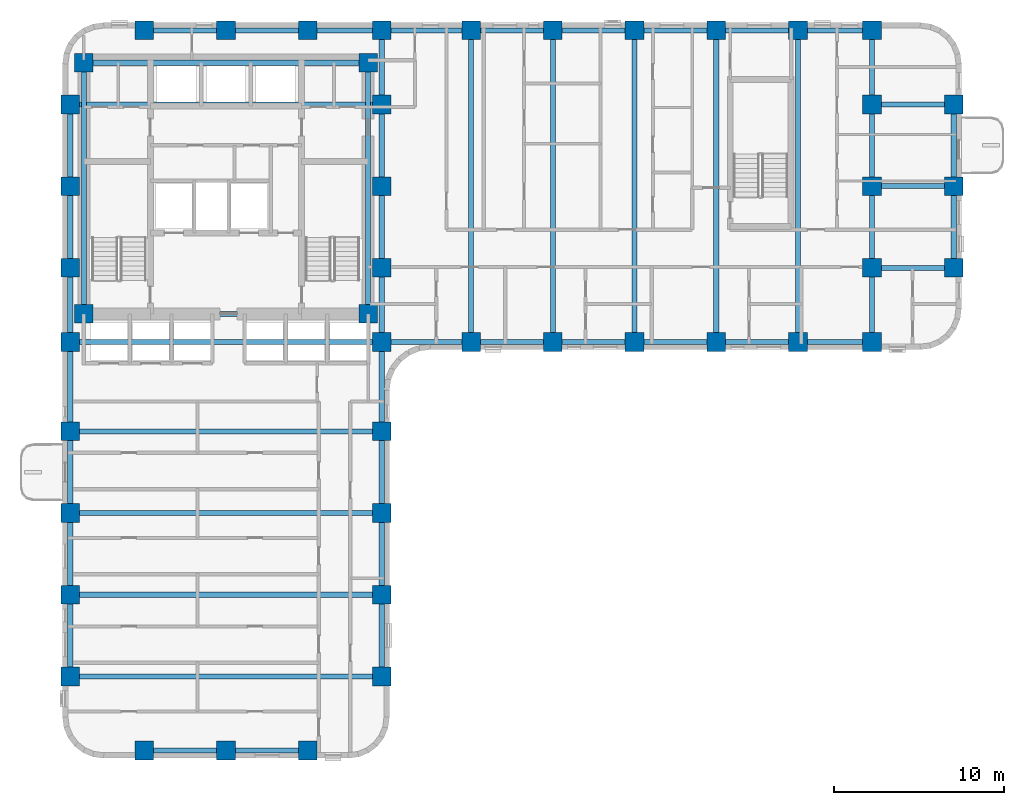
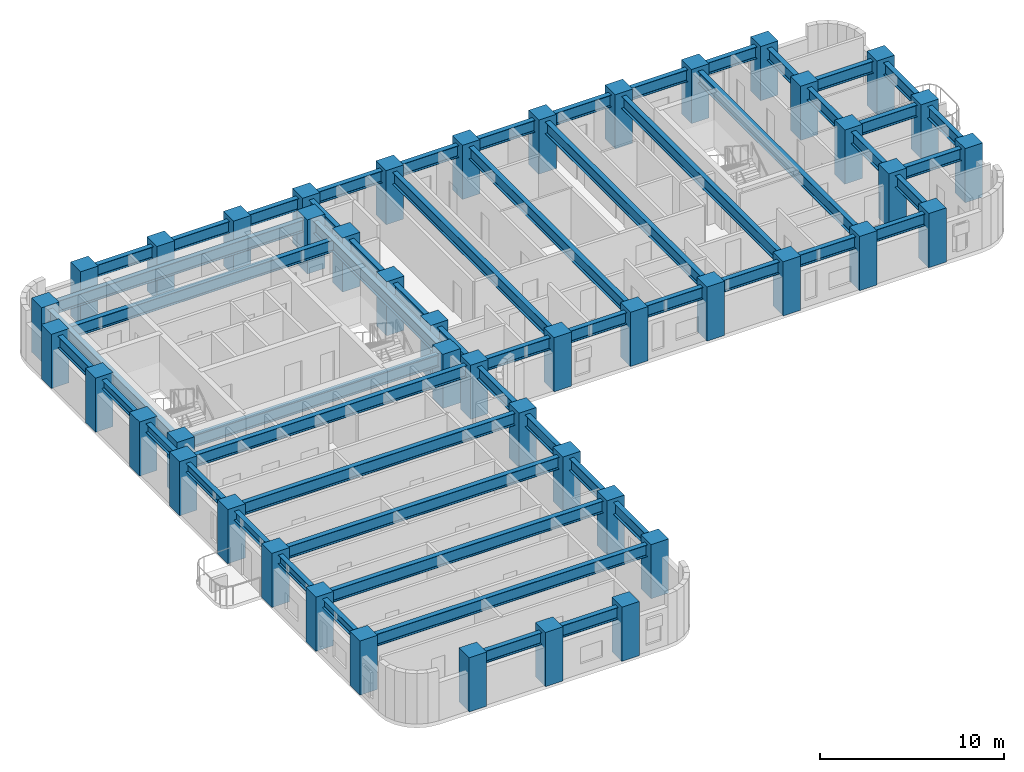
# One storey, part 1 of 11: 56 beams, 45 columns.
"""IFC4 building model written with IfcOpenShell, lengths in metres."""

from ifc_helpers import new_model, si_unit, direction, frame, origin, origin_2d, place, context, subcontext, project, spatial, rectangle, i_section, extrude, material, material_profile, profile_set, type_object, element, save


model = new_model("IFC4")

# Units and contexts
model_context = context("Model", 3, precision=1e-05, world=origin(), true_north=direction((0.0, 1.0)))
body_context = subcontext(model_context, "Body", "Model", "MODEL_VIEW")
ifc_project = project(units=[si_unit("LENGTHUNIT", "METRE"), si_unit("AREAUNIT", "SQUARE_METRE"), si_unit("VOLUMEUNIT", "CUBIC_METRE"), si_unit("PLANEANGLEUNIT", "RADIAN"), si_unit("MASSUNIT", "GRAM", prefix="KILO")], contexts=[model_context])

# Site, building, storey
site_placement = place(None, origin())
site = spatial("IfcSite", under=ifc_project, at=site_placement, CompositionType="ELEMENT")
building_placement = place(site_placement, origin())
building = spatial("IfcBuilding", under=site, at=building_placement, Name="Orvandelia Arch Residences", CompositionType="ELEMENT")
storey_placement = place(building_placement, frame((0.0, 0.0, 86.199951171875)))
storey = spatial("IfcBuildingStorey", under=building, at=storey_placement, Name="L22", CompositionType="ELEMENT", Elevation=86.199951171875)

# Columns
ifc_material_1 = material(Name="Concrete C80/95", Category="concrete")
ifc_material_profile_1 = material_profile(ifc_material_1, rectangle(XDim=1.10009765625, YDim=1.10009765625, at=origin_2d()), Name="Concrete C80/95", Category="concrete")
ifc_profile_set_1 = profile_set([ifc_material_profile_1], Name="Concrete C80/95")
column_type = type_object("IfcColumnType", Name="COL-TWR-1100", PredefinedType="COLUMN", material=ifc_profile_set_1)
for number, where, z_axis, x_axis, name in (
    (1, (5.25, 9.60009765625, 0.0), (0.0, 0.0, 1.0), (1.0, 0.0, 0.0), "Structural Column L22-W-W-96"),
    (2, (5.25, 14.39990234375, 0.0), (0.0, 0.0, 1.0), (1.0, 0.0, 0.0), "Structural Column L22-W-W-144"),
    (3, (5.25, 19.199951171875, 0.0), (0.0, 0.0, 1.0), (1.0, 0.0, 0.0), "Structural Column L22-W-W-192"),
    (4, (5.25, 24.0, 0.0), (0.0, 0.0, 1.0), (1.0, 0.0, 0.0), "Structural Column L22-W-W-240"),
    (5, (5.25, 29.25, 0.0), (0.0, 0.0, 1.0), (1.0, 0.0, 0.0), "Structural Column L22-W-W-292"),
    (6, (5.25, 33.60009765625, 0.0), (0.0, 0.0, 1.0), (1.0, 0.0, 0.0), "Structural Column L22-W-W-336"),
    (7, (5.25, 38.39990234375, 0.0), (0.0, 0.0, 1.0), (1.0, 0.0, 0.0), "Structural Column L22-W-W-384"),
    (8, (5.25, 43.199951171875, 0.0), (0.0, 0.0, 1.0), (1.0, 0.0, 0.0), "Structural Column L22-W-W-432"),
    (9, (6.050048828125, 30.89990234375, 0.0), (0.0, 0.0, 1.0), (1.0, 0.0, 0.0), "Structural Column L22-CR-SW"),
    (10, (6.050048828125, 45.64990234375, 0.0), (0.0, 0.0, 1.0), (1.0, 0.0, 0.0), "Structural Column L22-CR-NW"),
    (11, (9.60009765625, 5.25, 0.0), (0.0, 0.0, 1.0), (1.0, 0.0, 0.0), "Structural Column L22-W-S-96"),
    (12, (9.60009765625, 47.550048828125, 0.0), (0.0, 0.0, 1.0), (1.0, 0.0, 0.0), "Structural Column L22-W-N-96"),
    (13, (14.39990234375, 5.25, 0.0), (0.0, 0.0, 1.0), (1.0, 0.0, 0.0), "Structural Column L22-W-S-144"),
    (14, (14.39990234375, 47.550048828125, 0.0), (0.0, 0.0, 1.0), (1.0, 0.0, 0.0), "Structural Column L22-W-N-144"),
    (15, (19.199951171875, 5.25, 0.0), (0.0, 0.0, 1.0), (1.0, 0.0, 0.0), "Structural Column L22-W-S-192"),
    (16, (19.199951171875, 47.550048828125, 0.0), (0.0, 0.0, 1.0), (1.0, 0.0, 0.0), "Structural Column L22-W-N-192"),
    (17, (22.75, 30.89990234375, 0.0), (0.0, 0.0, 1.0), (1.0, 0.0, 0.0), "Structural Column L22-CR-SE"),
    (18, (22.75, 45.64990234375, 0.0), (0.0, 0.0, 1.0), (1.0, 0.0, 0.0), "Structural Column L22-CR-NE"),
    (19, (23.550048828125, 9.60009765625, 0.0), (0.0, 0.0, 1.0), (1.0, 0.0, 0.0), "Structural Column L22-W-E-96"),
    (20, (23.550048828125, 14.39990234375, 0.0), (0.0, 0.0, 1.0), (1.0, 0.0, 0.0), "Structural Column L22-W-E-144"),
    (21, (23.550048828125, 19.199951171875, 0.0), (0.0, 0.0, 1.0), (1.0, 0.0, 0.0), "Structural Column L22-W-E-192"),
    (22, (23.550048828125, 24.0, 0.0), (0.0, 0.0, 1.0), (1.0, 0.0, 0.0), "Structural Column L22-W-E-240"),
    (23, (23.550048828125, 29.25, 0.0), (0.0, 0.0, 1.0), (1.0, 0.0, 0.0), "Structural Column L22-W-E-292"),
    (24, (23.550048828125, 33.60009765625, 0.0), (0.0, 0.0, 1.0), (1.0, 0.0, 0.0), "Structural Column L22-W-E-336"),
    (25, (23.550048828125, 38.39990234375, 0.0), (0.0, 0.0, 1.0), (1.0, 0.0, 0.0), "Structural Column L22-W-E-384"),
    (26, (23.550048828125, 43.199951171875, 0.0), (0.0, 0.0, 1.0), (1.0, 0.0, 0.0), "Structural Column L22-W-E-432"),
    (27, (23.550048828125, 47.550048828125, 0.0), (0.0, 0.0, 1.0), (1.0, 0.0, 0.0), "Structural Column L22-W-N-235"),
    (28, (28.800048828125, 29.25, 0.0), (0.0, 0.0, 1.0), (1.0, 0.0, 0.0), "Structural Column L22-E-S-288"),
    (29, (28.800048828125, 47.550048828125, 0.0), (0.0, 0.0, 1.0), (1.0, 0.0, 0.0), "Structural Column L22-E-N-288"),
    (30, (33.60009765625, 29.25, 0.0), (0.0, 0.0, 1.0), (1.0, 0.0, 0.0), "Structural Column L22-E-S-336"),
    (31, (33.60009765625, 47.550048828125, 0.0), (0.0, 0.0, 1.0), (1.0, 0.0, 0.0), "Structural Column L22-E-N-336"),
    (32, (38.39990234375, 29.25, 0.0), (0.0, 0.0, 1.0), (1.0, 0.0, 0.0), "Structural Column L22-E-S-384"),
    (33, (38.39990234375, 47.550048828125, 0.0), (0.0, 0.0, 1.0), (1.0, 0.0, 0.0), "Structural Column L22-E-N-384"),
    (34, (43.199951171875, 29.25, 0.0), (0.0, 0.0, 1.0), (1.0, 0.0, 0.0), "Structural Column L22-E-S-432"),
    (35, (43.199951171875, 47.550048828125, 0.0), (0.0, 0.0, 1.0), (1.0, 0.0, 0.0), "Structural Column L22-E-N-432"),
    (36, (48.0, 29.25, 0.0), (0.0, 0.0, 1.0), (1.0, 0.0, 0.0), "Structural Column L22-E-S-480"),
    (37, (48.0, 47.550048828125, 0.0), (0.0, 0.0, 1.0), (1.0, 0.0, 0.0), "Structural Column L22-E-N-480"),
    (38, (52.35009765625, 29.25, 0.0), (0.0, 0.0, 1.0), (1.0, 0.0, 0.0), "Structural Column L22-E-S-523"),
    (39, (52.35009765625, 33.60009765625, 0.0), (0.0, 0.0, 1.0), (1.0, 0.0, 0.0), "Structural Column L22-E-523-336"),
    (40, (52.35009765625, 38.39990234375, 0.0), (0.0, 0.0, 1.0), (1.0, 0.0, 0.0), "Structural Column L22-E-523-384"),
    (41, (52.35009765625, 43.199951171875, 0.0), (0.0, 0.0, 1.0), (1.0, 0.0, 0.0), "Structural Column L22-E-523-432"),
    (42, (52.35009765625, 47.550048828125, 0.0), (0.0, 0.0, 1.0), (1.0, 0.0, 0.0), "Structural Column L22-E-N-523"),
    (43, (57.14990234375, 33.60009765625, 0.0), (0.0, 0.0, 1.0), (1.0, 0.0, 0.0), "Structural Column L22-E-571-336"),
    (44, (57.14990234375, 38.39990234375, 0.0), (0.0, 0.0, 1.0), (1.0, 0.0, 0.0), "Structural Column L22-E-571-384"),
    (45, (57.14990234375, 43.199951171875, 0.0), (0.0, 0.0, 1.0), (1.0, 0.0, 0.0), "Structural Column L22-E-571-432"),
):
    element("IfcColumn", number, at=place(storey_placement, frame(where, z_axis=z_axis, x_axis=x_axis)), inside=storey, type_object=column_type, Name=name, PredefinedType="COLUMN", context=body_context, shape_type="SweptSolid", body=[
        extrude(rectangle(XDim=1.10009765625, YDim=1.10009765625, at=origin_2d()), origin(), (0.0, 0.0, 1.0), 3.60009765625),
    ])

# Beams
ifc_material_2 = material(Name="Structural Steel SM355 (355 MPa)", Category="steel")
ifc_material_profile_2 = material_profile(ifc_material_2, i_section(OverallWidth=0.300048828125, OverallDepth=0.800048828125, WebThickness=0.013916015625, FlangeThickness=0.02587890625, FilletRadius=0.02587890625, at=origin_2d()), Name="Structural Steel SM355 (355 MPa)", Category="steel")
ifc_profile_set_2 = profile_set([ifc_material_profile_2], Name="Structural Steel SM355 (355 MPa)")
beam_type_1 = type_object("IfcBeamType", Name="BM-GRD-H800", PredefinedType="BEAM", material=ifc_profile_set_2)
beam_1_placement = place(storey_placement, frame((5.25, 38.39990234375, 2.949951171875), z_axis=(0.0, 1.0, 0.0), x_axis=(-1.0, 0.0, 0.0)))
element("IfcBeam", 46, at=beam_1_placement, inside=storey, type_object=beam_type_1, Name="Structural Frame Beam L22-NS-007", PredefinedType="BEAM", context=body_context, shape_type="SweptSolid", body=[
    extrude(i_section(OverallWidth=0.300048828125, OverallDepth=0.800048828125, WebThickness=0.013916015625, FlangeThickness=0.02587890625, FilletRadius=0.02587890625, at=origin_2d()), origin(), (0.0, 0.0, 1.0), 4.800048828125),
])
for number, where, z_axis, x_axis, name in (
    (47, (6.050048828125, 30.89990234375, 2.949951171875), (0.0, 1.0, 0.0), (-1.0, 0.0, 0.0), "Structural Frame Beam L22-NS-008"),
    (48, (22.75, 30.89990234375, 2.949951171875), (0.0, 1.0, 0.0), (-1.0, 0.0, 0.0), "Structural Frame Beam L22-NS-009"),
):
    element("IfcBeam", number, at=place(storey_placement, frame(where, z_axis=z_axis, x_axis=x_axis)), inside=storey, type_object=beam_type_1, Name=name, PredefinedType="BEAM", context=body_context, shape_type="SweptSolid", body=[
        extrude(i_section(OverallWidth=0.300048828125, OverallDepth=0.800048828125, WebThickness=0.013916015625, FlangeThickness=0.02587890625, FilletRadius=0.02587890625, at=origin_2d()), origin(), (0.0, 0.0, 1.0), 14.75),
    ])
beam_2_placement = place(storey_placement, frame((23.550048828125, 9.60009765625, 2.949951171875), z_axis=(0.0, 1.0, 0.0), x_axis=(-1.0, 0.0, 0.0)))
element("IfcBeam", 49, at=beam_2_placement, inside=storey, type_object=beam_type_1, Name="Structural Frame Beam L22-NS-010", PredefinedType="BEAM", context=body_context, shape_type="SweptSolid", body=[
    extrude(i_section(OverallWidth=0.300048828125, OverallDepth=0.800048828125, WebThickness=0.013916015625, FlangeThickness=0.02587890625, FilletRadius=0.02587890625, at=origin_2d()), origin(), (0.0, 0.0, 1.0), 4.7998046875),
])
for number, where, z_axis, x_axis, name in (
    (50, (23.550048828125, 14.39990234375, 2.949951171875), (0.0, 1.0, 0.0), (-1.0, 0.0, 0.0), "Structural Frame Beam L22-NS-011"),
    (51, (23.550048828125, 19.199951171875, 2.949951171875), (0.0, 1.0, 0.0), (-1.0, 0.0, 0.0), "Structural Frame Beam L22-NS-012"),
):
    element("IfcBeam", number, at=place(storey_placement, frame(where, z_axis=z_axis, x_axis=x_axis)), inside=storey, type_object=beam_type_1, Name=name, PredefinedType="BEAM", context=body_context, shape_type="SweptSolid", body=[
        extrude(i_section(OverallWidth=0.300048828125, OverallDepth=0.800048828125, WebThickness=0.013916015625, FlangeThickness=0.02587890625, FilletRadius=0.02587890625, at=origin_2d()), origin(), (0.0, 0.0, 1.0), 4.800048828125),
    ])
beam_3_placement = place(storey_placement, frame((23.550048828125, 24.0, 2.949951171875), z_axis=(0.0, 1.0, 0.0), x_axis=(-1.0, 0.0, 0.0)))
element("IfcBeam", 52, at=beam_3_placement, inside=storey, type_object=beam_type_1, Name="Structural Frame Beam L22-NS-013", PredefinedType="BEAM", context=body_context, shape_type="SweptSolid", body=[
    extrude(i_section(OverallWidth=0.300048828125, OverallDepth=0.800048828125, WebThickness=0.013916015625, FlangeThickness=0.02587890625, FilletRadius=0.02587890625, at=origin_2d()), origin(), (0.0, 0.0, 1.0), 5.25),
])
beam_4_placement = place(storey_placement, frame((23.550048828125, 29.25, 2.949951171875), z_axis=(0.0, 1.0, 0.0), x_axis=(-1.0, 0.0, 0.0)))
element("IfcBeam", 53, at=beam_4_placement, inside=storey, type_object=beam_type_1, Name="Structural Frame Beam L22-NS-014", PredefinedType="BEAM", context=body_context, shape_type="SweptSolid", body=[
    extrude(i_section(OverallWidth=0.300048828125, OverallDepth=0.800048828125, WebThickness=0.013916015625, FlangeThickness=0.02587890625, FilletRadius=0.02587890625, at=origin_2d()), origin(), (0.0, 0.0, 1.0), 4.35009765625),
])
beam_5_placement = place(storey_placement, frame((23.550048828125, 33.60009765625, 2.949951171875), z_axis=(0.0, 1.0, 0.0), x_axis=(-1.0, 0.0, 0.0)))
element("IfcBeam", 54, at=beam_5_placement, inside=storey, type_object=beam_type_1, Name="Structural Frame Beam L22-NS-015", PredefinedType="BEAM", context=body_context, shape_type="SweptSolid", body=[
    extrude(i_section(OverallWidth=0.300048828125, OverallDepth=0.800048828125, WebThickness=0.013916015625, FlangeThickness=0.02587890625, FilletRadius=0.02587890625, at=origin_2d()), origin(), (0.0, 0.0, 1.0), 4.7998046875),
])
beam_6_placement = place(storey_placement, frame((23.550048828125, 38.39990234375, 2.949951171875), z_axis=(0.0, 1.0, 0.0), x_axis=(-1.0, 0.0, 0.0)))
element("IfcBeam", 55, at=beam_6_placement, inside=storey, type_object=beam_type_1, Name="Structural Frame Beam L22-NS-016", PredefinedType="BEAM", context=body_context, shape_type="SweptSolid", body=[
    extrude(i_section(OverallWidth=0.300048828125, OverallDepth=0.800048828125, WebThickness=0.013916015625, FlangeThickness=0.02587890625, FilletRadius=0.02587890625, at=origin_2d()), origin(), (0.0, 0.0, 1.0), 4.800048828125),
])
beam_7_placement = place(storey_placement, frame((23.550048828125, 43.199951171875, 2.949951171875), z_axis=(0.0, 1.0, 0.0), x_axis=(-1.0, 0.0, 0.0)))
element("IfcBeam", 56, at=beam_7_placement, inside=storey, type_object=beam_type_1, Name="Structural Frame Beam L22-NS-017", PredefinedType="BEAM", context=body_context, shape_type="SweptSolid", body=[
    extrude(i_section(OverallWidth=0.300048828125, OverallDepth=0.800048828125, WebThickness=0.013916015625, FlangeThickness=0.02587890625, FilletRadius=0.02587890625, at=origin_2d()), origin(), (0.0, 0.0, 1.0), 4.35009765625),
])
for number, where, z_axis, x_axis, name in (
    (57, (28.800048828125, 29.25, 2.949951171875), (0.0, 1.0, 0.0), (-1.0, 0.0, 0.0), "Structural Frame Beam L22-NS-018"),
    (58, (33.60009765625, 29.25, 2.949951171875), (0.0, 1.0, 0.0), (-1.0, 0.0, 0.0), "Structural Frame Beam L22-NS-019"),
    (59, (38.39990234375, 29.25, 2.949951171875), (0.0, 1.0, 0.0), (-1.0, 0.0, 0.0), "Structural Frame Beam L22-NS-020"),
    (60, (43.199951171875, 29.25, 2.949951171875), (0.0, 1.0, 0.0), (-1.0, 0.0, 0.0), "Structural Frame Beam L22-NS-021"),
    (61, (48.0, 29.25, 2.949951171875), (0.0, 1.0, 0.0), (-1.0, 0.0, 0.0), "Structural Frame Beam L22-NS-022"),
):
    element("IfcBeam", number, at=place(storey_placement, frame(where, z_axis=z_axis, x_axis=x_axis)), inside=storey, type_object=beam_type_1, Name=name, PredefinedType="BEAM", context=body_context, shape_type="SweptSolid", body=[
        extrude(i_section(OverallWidth=0.300048828125, OverallDepth=0.800048828125, WebThickness=0.013916015625, FlangeThickness=0.02587890625, FilletRadius=0.02587890625, at=origin_2d()), origin(), (0.0, 0.0, 1.0), 18.300048828125),
    ])
beam_8_placement = place(storey_placement, frame((52.35009765625, 29.25, 2.949951171875), z_axis=(0.0, 1.0, 0.0), x_axis=(-1.0, 0.0, 0.0)))
element("IfcBeam", 62, at=beam_8_placement, inside=storey, type_object=beam_type_1, Name="Structural Frame Beam L22-NS-023", PredefinedType="BEAM", context=body_context, shape_type="SweptSolid", body=[
    extrude(i_section(OverallWidth=0.300048828125, OverallDepth=0.800048828125, WebThickness=0.013916015625, FlangeThickness=0.02587890625, FilletRadius=0.02587890625, at=origin_2d()), origin(), (0.0, 0.0, 1.0), 4.35009765625),
])
beam_9_placement = place(storey_placement, frame((52.35009765625, 33.60009765625, 2.949951171875), z_axis=(0.0, 1.0, 0.0), x_axis=(-1.0, 0.0, 0.0)))
element("IfcBeam", 63, at=beam_9_placement, inside=storey, type_object=beam_type_1, Name="Structural Frame Beam L22-NS-024", PredefinedType="BEAM", context=body_context, shape_type="SweptSolid", body=[
    extrude(i_section(OverallWidth=0.300048828125, OverallDepth=0.800048828125, WebThickness=0.013916015625, FlangeThickness=0.02587890625, FilletRadius=0.02587890625, at=origin_2d()), origin(), (0.0, 0.0, 1.0), 4.7998046875),
])
beam_10_placement = place(storey_placement, frame((52.35009765625, 38.39990234375, 2.949951171875), z_axis=(0.0, 1.0, 0.0), x_axis=(-1.0, 0.0, 0.0)))
element("IfcBeam", 64, at=beam_10_placement, inside=storey, type_object=beam_type_1, Name="Structural Frame Beam L22-NS-025", PredefinedType="BEAM", context=body_context, shape_type="SweptSolid", body=[
    extrude(i_section(OverallWidth=0.300048828125, OverallDepth=0.800048828125, WebThickness=0.013916015625, FlangeThickness=0.02587890625, FilletRadius=0.02587890625, at=origin_2d()), origin(), (0.0, 0.0, 1.0), 4.800048828125),
])
beam_11_placement = place(storey_placement, frame((52.35009765625, 43.199951171875, 2.949951171875), z_axis=(0.0, 1.0, 0.0), x_axis=(-1.0, 0.0, 0.0)))
element("IfcBeam", 65, at=beam_11_placement, inside=storey, type_object=beam_type_1, Name="Structural Frame Beam L22-NS-026", PredefinedType="BEAM", context=body_context, shape_type="SweptSolid", body=[
    extrude(i_section(OverallWidth=0.300048828125, OverallDepth=0.800048828125, WebThickness=0.013916015625, FlangeThickness=0.02587890625, FilletRadius=0.02587890625, at=origin_2d()), origin(), (0.0, 0.0, 1.0), 4.35009765625),
])
beam_12_placement = place(storey_placement, frame((57.14990234375, 33.60009765625, 2.949951171875), z_axis=(0.0, 1.0, 0.0), x_axis=(-1.0, 0.0, 0.0)))
element("IfcBeam", 66, at=beam_12_placement, inside=storey, type_object=beam_type_1, Name="Structural Frame Beam L22-NS-027", PredefinedType="BEAM", context=body_context, shape_type="SweptSolid", body=[
    extrude(i_section(OverallWidth=0.300048828125, OverallDepth=0.800048828125, WebThickness=0.013916015625, FlangeThickness=0.02587890625, FilletRadius=0.02587890625, at=origin_2d()), origin(), (0.0, 0.0, 1.0), 4.7998046875),
])
beam_13_placement = place(storey_placement, frame((57.14990234375, 38.39990234375, 2.949951171875), z_axis=(0.0, 1.0, 0.0), x_axis=(-1.0, 0.0, 0.0)))
element("IfcBeam", 67, at=beam_13_placement, inside=storey, type_object=beam_type_1, Name="Structural Frame Beam L22-NS-028", PredefinedType="BEAM", context=body_context, shape_type="SweptSolid", body=[
    extrude(i_section(OverallWidth=0.300048828125, OverallDepth=0.800048828125, WebThickness=0.013916015625, FlangeThickness=0.02587890625, FilletRadius=0.02587890625, at=origin_2d()), origin(), (0.0, 0.0, 1.0), 4.800048828125),
])
beam_14_placement = place(storey_placement, frame((9.60009765625, 5.25, 2.949951171875), z_axis=(1.0, 0.0, 0.0), x_axis=(0.0, 1.0, 0.0)))
element("IfcBeam", 68, at=beam_14_placement, inside=storey, type_object=beam_type_1, Name="Structural Frame Girder L22-EW-029", PredefinedType="BEAM", context=body_context, shape_type="SweptSolid", body=[
    extrude(i_section(OverallWidth=0.300048828125, OverallDepth=0.800048828125, WebThickness=0.013916015625, FlangeThickness=0.02587890625, FilletRadius=0.02587890625, at=origin_2d()), origin(), (0.0, 0.0, 1.0), 4.7998046875),
])
beam_15_placement = place(storey_placement, frame((14.39990234375, 5.25, 2.949951171875), z_axis=(1.0, 0.0, 0.0), x_axis=(0.0, 1.0, 0.0)))
element("IfcBeam", 69, at=beam_15_placement, inside=storey, type_object=beam_type_1, Name="Structural Frame Girder L22-EW-030", PredefinedType="BEAM", context=body_context, shape_type="SweptSolid", body=[
    extrude(i_section(OverallWidth=0.300048828125, OverallDepth=0.800048828125, WebThickness=0.013916015625, FlangeThickness=0.02587890625, FilletRadius=0.02587890625, at=origin_2d()), origin(), (0.0, 0.0, 1.0), 4.800048828125),
])
for number, where, z_axis, x_axis, name in (
    (70, (5.25, 9.60009765625, 2.949951171875), (1.0, 0.0, 0.0), (0.0, 1.0, 0.0), "Structural Frame Girder L22-EW-031"),
    (71, (5.25, 14.39990234375, 2.949951171875), (1.0, 0.0, 0.0), (0.0, 1.0, 0.0), "Structural Frame Girder L22-EW-032"),
    (72, (5.25, 19.199951171875, 2.949951171875), (1.0, 0.0, 0.0), (0.0, 1.0, 0.0), "Structural Frame Girder L22-EW-033"),
    (73, (5.25, 24.0, 2.949951171875), (1.0, 0.0, 0.0), (0.0, 1.0, 0.0), "Structural Frame Girder L22-EW-034"),
    (74, (5.25, 29.25, 2.949951171875), (1.0, 0.0, 0.0), (0.0, 1.0, 0.0), "Structural Frame Girder L22-EW-035"),
):
    element("IfcBeam", number, at=place(storey_placement, frame(where, z_axis=z_axis, x_axis=x_axis)), inside=storey, type_object=beam_type_1, Name=name, PredefinedType="BEAM", context=body_context, shape_type="SweptSolid", body=[
        extrude(i_section(OverallWidth=0.300048828125, OverallDepth=0.800048828125, WebThickness=0.013916015625, FlangeThickness=0.02587890625, FilletRadius=0.02587890625, at=origin_2d()), origin(), (0.0, 0.0, 1.0), 18.300048828125),
    ])
beam_16_placement = place(storey_placement, frame((23.550048828125, 29.25, 2.949951171875), z_axis=(1.0, 0.0, 0.0), x_axis=(0.0, 1.0, 0.0)))
element("IfcBeam", 75, at=beam_16_placement, inside=storey, type_object=beam_type_1, Name="Structural Frame Girder L22-EW-036", PredefinedType="BEAM", context=body_context, shape_type="SweptSolid", body=[
    extrude(i_section(OverallWidth=0.300048828125, OverallDepth=0.800048828125, WebThickness=0.013916015625, FlangeThickness=0.02587890625, FilletRadius=0.02587890625, at=origin_2d()), origin(), (0.0, 0.0, 1.0), 5.25),
])
beam_17_placement = place(storey_placement, frame((28.800048828125, 29.25, 2.949951171875), z_axis=(1.0, 0.0, 0.0), x_axis=(0.0, 1.0, 0.0)))
element("IfcBeam", 76, at=beam_17_placement, inside=storey, type_object=beam_type_1, Name="Structural Frame Girder L22-EW-037", PredefinedType="BEAM", context=body_context, shape_type="SweptSolid", body=[
    extrude(i_section(OverallWidth=0.300048828125, OverallDepth=0.800048828125, WebThickness=0.013916015625, FlangeThickness=0.02587890625, FilletRadius=0.02587890625, at=origin_2d()), origin(), (0.0, 0.0, 1.0), 4.800048828125),
])
beam_18_placement = place(storey_placement, frame((33.60009765625, 29.25, 2.949951171875), z_axis=(1.0, 0.0, 0.0), x_axis=(0.0, 1.0, 0.0)))
element("IfcBeam", 77, at=beam_18_placement, inside=storey, type_object=beam_type_1, Name="Structural Frame Girder L22-EW-038", PredefinedType="BEAM", context=body_context, shape_type="SweptSolid", body=[
    extrude(i_section(OverallWidth=0.300048828125, OverallDepth=0.800048828125, WebThickness=0.013916015625, FlangeThickness=0.02587890625, FilletRadius=0.02587890625, at=origin_2d()), origin(), (0.0, 0.0, 1.0), 4.7998046875),
])
for number, where, z_axis, x_axis, name in (
    (78, (38.39990234375, 29.25, 2.949951171875), (1.0, 0.0, 0.0), (0.0, 1.0, 0.0), "Structural Frame Girder L22-EW-039"),
    (79, (43.199951171875, 29.25, 2.949951171875), (1.0, 0.0, 0.0), (0.0, 1.0, 0.0), "Structural Frame Girder L22-EW-040"),
):
    element("IfcBeam", number, at=place(storey_placement, frame(where, z_axis=z_axis, x_axis=x_axis)), inside=storey, type_object=beam_type_1, Name=name, PredefinedType="BEAM", context=body_context, shape_type="SweptSolid", body=[
        extrude(i_section(OverallWidth=0.300048828125, OverallDepth=0.800048828125, WebThickness=0.013916015625, FlangeThickness=0.02587890625, FilletRadius=0.02587890625, at=origin_2d()), origin(), (0.0, 0.0, 1.0), 4.800048828125),
    ])
beam_19_placement = place(storey_placement, frame((48.0, 29.25, 2.949951171875), z_axis=(1.0, 0.0, 0.0), x_axis=(0.0, 1.0, 0.0)))
element("IfcBeam", 80, at=beam_19_placement, inside=storey, type_object=beam_type_1, Name="Structural Frame Girder L22-EW-041", PredefinedType="BEAM", context=body_context, shape_type="SweptSolid", body=[
    extrude(i_section(OverallWidth=0.300048828125, OverallDepth=0.800048828125, WebThickness=0.013916015625, FlangeThickness=0.02587890625, FilletRadius=0.02587890625, at=origin_2d()), origin(), (0.0, 0.0, 1.0), 4.35009765625),
])
beam_20_placement = place(storey_placement, frame((6.050048828125, 30.89990234375, 2.949951171875), z_axis=(1.0, 0.0, 0.0), x_axis=(0.0, 1.0, 0.0)))
element("IfcBeam", 81, at=beam_20_placement, inside=storey, type_object=beam_type_1, Name="Structural Frame Girder L22-EW-042", PredefinedType="BEAM", context=body_context, shape_type="SweptSolid", body=[
    extrude(i_section(OverallWidth=0.300048828125, OverallDepth=0.800048828125, WebThickness=0.013916015625, FlangeThickness=0.02587890625, FilletRadius=0.02587890625, at=origin_2d()), origin(), (0.0, 0.0, 1.0), 16.699951171875),
])
for number, where, z_axis, x_axis, name in (
    (82, (52.35009765625, 33.60009765625, 2.949951171875), (1.0, 0.0, 0.0), (0.0, 1.0, 0.0), "Structural Frame Girder L22-EW-044"),
    (83, (52.35009765625, 38.39990234375, 2.949951171875), (1.0, 0.0, 0.0), (0.0, 1.0, 0.0), "Structural Frame Girder L22-EW-046"),
):
    element("IfcBeam", number, at=place(storey_placement, frame(where, z_axis=z_axis, x_axis=x_axis)), inside=storey, type_object=beam_type_1, Name=name, PredefinedType="BEAM", context=body_context, shape_type="SweptSolid", body=[
        extrude(i_section(OverallWidth=0.300048828125, OverallDepth=0.800048828125, WebThickness=0.013916015625, FlangeThickness=0.02587890625, FilletRadius=0.02587890625, at=origin_2d()), origin(), (0.0, 0.0, 1.0), 4.7998046875),
    ])
beam_21_placement = place(storey_placement, frame((5.25, 43.199951171875, 2.949951171875), z_axis=(1.0, 0.0, 0.0), x_axis=(0.0, 1.0, 0.0)))
element("IfcBeam", 84, at=beam_21_placement, inside=storey, type_object=beam_type_1, Name="Structural Frame Girder L22-EW-047", PredefinedType="BEAM", context=body_context, shape_type="SweptSolid", body=[
    extrude(i_section(OverallWidth=0.300048828125, OverallDepth=0.800048828125, WebThickness=0.013916015625, FlangeThickness=0.02587890625, FilletRadius=0.02587890625, at=origin_2d()), origin(), (0.0, 0.0, 1.0), 18.300048828125),
])
beam_22_placement = place(storey_placement, frame((52.35009765625, 43.199951171875, 2.949951171875), z_axis=(1.0, 0.0, 0.0), x_axis=(0.0, 1.0, 0.0)))
element("IfcBeam", 85, at=beam_22_placement, inside=storey, type_object=beam_type_1, Name="Structural Frame Girder L22-EW-048", PredefinedType="BEAM", context=body_context, shape_type="SweptSolid", body=[
    extrude(i_section(OverallWidth=0.300048828125, OverallDepth=0.800048828125, WebThickness=0.013916015625, FlangeThickness=0.02587890625, FilletRadius=0.02587890625, at=origin_2d()), origin(), (0.0, 0.0, 1.0), 4.7998046875),
])
beam_23_placement = place(storey_placement, frame((6.050048828125, 45.64990234375, 2.949951171875), z_axis=(1.0, 0.0, 0.0), x_axis=(0.0, 1.0, 0.0)))
element("IfcBeam", 86, at=beam_23_placement, inside=storey, type_object=beam_type_1, Name="Structural Frame Girder L22-EW-049", PredefinedType="BEAM", context=body_context, shape_type="SweptSolid", body=[
    extrude(i_section(OverallWidth=0.300048828125, OverallDepth=0.800048828125, WebThickness=0.013916015625, FlangeThickness=0.02587890625, FilletRadius=0.02587890625, at=origin_2d()), origin(), (0.0, 0.0, 1.0), 16.699951171875),
])
beam_24_placement = place(storey_placement, frame((9.60009765625, 47.550048828125, 2.949951171875), z_axis=(1.0, 0.0, 0.0), x_axis=(0.0, 1.0, 0.0)))
element("IfcBeam", 87, at=beam_24_placement, inside=storey, type_object=beam_type_1, Name="Structural Frame Girder L22-EW-050", PredefinedType="BEAM", context=body_context, shape_type="SweptSolid", body=[
    extrude(i_section(OverallWidth=0.300048828125, OverallDepth=0.800048828125, WebThickness=0.013916015625, FlangeThickness=0.02587890625, FilletRadius=0.02587890625, at=origin_2d()), origin(), (0.0, 0.0, 1.0), 4.7998046875),
])
beam_25_placement = place(storey_placement, frame((14.39990234375, 47.550048828125, 2.949951171875), z_axis=(1.0, 0.0, 0.0), x_axis=(0.0, 1.0, 0.0)))
element("IfcBeam", 88, at=beam_25_placement, inside=storey, type_object=beam_type_1, Name="Structural Frame Girder L22-EW-051", PredefinedType="BEAM", context=body_context, shape_type="SweptSolid", body=[
    extrude(i_section(OverallWidth=0.300048828125, OverallDepth=0.800048828125, WebThickness=0.013916015625, FlangeThickness=0.02587890625, FilletRadius=0.02587890625, at=origin_2d()), origin(), (0.0, 0.0, 1.0), 4.800048828125),
])
beam_26_placement = place(storey_placement, frame((19.199951171875, 47.550048828125, 2.949951171875), z_axis=(1.0, 0.0, 0.0), x_axis=(0.0, 1.0, 0.0)))
element("IfcBeam", 89, at=beam_26_placement, inside=storey, type_object=beam_type_1, Name="Structural Frame Girder L22-EW-052", PredefinedType="BEAM", context=body_context, shape_type="SweptSolid", body=[
    extrude(i_section(OverallWidth=0.300048828125, OverallDepth=0.800048828125, WebThickness=0.013916015625, FlangeThickness=0.02587890625, FilletRadius=0.02587890625, at=origin_2d()), origin(), (0.0, 0.0, 1.0), 4.35009765625),
])
beam_27_placement = place(storey_placement, frame((23.550048828125, 47.550048828125, 2.949951171875), z_axis=(1.0, 0.0, 0.0), x_axis=(0.0, 1.0, 0.0)))
element("IfcBeam", 90, at=beam_27_placement, inside=storey, type_object=beam_type_1, Name="Structural Frame Girder L22-EW-053", PredefinedType="BEAM", context=body_context, shape_type="SweptSolid", body=[
    extrude(i_section(OverallWidth=0.300048828125, OverallDepth=0.800048828125, WebThickness=0.013916015625, FlangeThickness=0.02587890625, FilletRadius=0.02587890625, at=origin_2d()), origin(), (0.0, 0.0, 1.0), 5.25),
])
beam_28_placement = place(storey_placement, frame((28.800048828125, 47.550048828125, 2.949951171875), z_axis=(1.0, 0.0, 0.0), x_axis=(0.0, 1.0, 0.0)))
element("IfcBeam", 91, at=beam_28_placement, inside=storey, type_object=beam_type_1, Name="Structural Frame Girder L22-EW-054", PredefinedType="BEAM", context=body_context, shape_type="SweptSolid", body=[
    extrude(i_section(OverallWidth=0.300048828125, OverallDepth=0.800048828125, WebThickness=0.013916015625, FlangeThickness=0.02587890625, FilletRadius=0.02587890625, at=origin_2d()), origin(), (0.0, 0.0, 1.0), 4.800048828125),
])
beam_29_placement = place(storey_placement, frame((33.60009765625, 47.550048828125, 2.949951171875), z_axis=(1.0, 0.0, 0.0), x_axis=(0.0, 1.0, 0.0)))
element("IfcBeam", 92, at=beam_29_placement, inside=storey, type_object=beam_type_1, Name="Structural Frame Girder L22-EW-055", PredefinedType="BEAM", context=body_context, shape_type="SweptSolid", body=[
    extrude(i_section(OverallWidth=0.300048828125, OverallDepth=0.800048828125, WebThickness=0.013916015625, FlangeThickness=0.02587890625, FilletRadius=0.02587890625, at=origin_2d()), origin(), (0.0, 0.0, 1.0), 4.7998046875),
])
for number, where, z_axis, x_axis, name in (
    (93, (38.39990234375, 47.550048828125, 2.949951171875), (1.0, 0.0, 0.0), (0.0, 1.0, 0.0), "Structural Frame Girder L22-EW-056"),
    (94, (43.199951171875, 47.550048828125, 2.949951171875), (1.0, 0.0, 0.0), (0.0, 1.0, 0.0), "Structural Frame Girder L22-EW-057"),
):
    element("IfcBeam", number, at=place(storey_placement, frame(where, z_axis=z_axis, x_axis=x_axis)), inside=storey, type_object=beam_type_1, Name=name, PredefinedType="BEAM", context=body_context, shape_type="SweptSolid", body=[
        extrude(i_section(OverallWidth=0.300048828125, OverallDepth=0.800048828125, WebThickness=0.013916015625, FlangeThickness=0.02587890625, FilletRadius=0.02587890625, at=origin_2d()), origin(), (0.0, 0.0, 1.0), 4.800048828125),
    ])
beam_30_placement = place(storey_placement, frame((48.0, 47.550048828125, 2.949951171875), z_axis=(1.0, 0.0, 0.0), x_axis=(0.0, 1.0, 0.0)))
element("IfcBeam", 95, at=beam_30_placement, inside=storey, type_object=beam_type_1, Name="Structural Frame Girder L22-EW-058", PredefinedType="BEAM", context=body_context, shape_type="SweptSolid", body=[
    extrude(i_section(OverallWidth=0.300048828125, OverallDepth=0.800048828125, WebThickness=0.013916015625, FlangeThickness=0.02587890625, FilletRadius=0.02587890625, at=origin_2d()), origin(), (0.0, 0.0, 1.0), 4.35009765625),
])
ifc_material_profile_3 = material_profile(ifc_material_2, i_section(OverallWidth=0.300048828125, OverallDepth=0.587890625, WebThickness=0.011962890625, FlangeThickness=0.02001953125, FilletRadius=0.02197265625, at=origin_2d()), Name="Structural Steel SM355 (355 MPa)", Category="steel")
ifc_profile_set_3 = profile_set([ifc_material_profile_3], Name="Structural Steel SM355 (355 MPa)")
beam_type_2 = type_object("IfcBeamType", Name="BM-SPN-H588", PredefinedType="SPANDREL", material=ifc_profile_set_3)
beam_31_placement = place(storey_placement, frame((5.25, 9.60009765625, 3.05615234375), z_axis=(0.0, 1.0, 0.0), x_axis=(-1.0, 0.0, 0.0)))
element("IfcBeam", 96, at=beam_31_placement, inside=storey, type_object=beam_type_2, Name="Structural Frame Beam L22-NS-001", PredefinedType="SPANDREL", context=body_context, shape_type="SweptSolid", body=[
    extrude(i_section(OverallWidth=0.300048828125, OverallDepth=0.587890625, WebThickness=0.011962890625, FlangeThickness=0.02001953125, FilletRadius=0.02197265625, at=origin_2d()), origin(), (0.0, 0.0, 1.0), 4.7998046875),
])
for number, where, z_axis, x_axis, name in (
    (97, (5.25, 14.39990234375, 3.05615234375), (0.0, 1.0, 0.0), (-1.0, 0.0, 0.0), "Structural Frame Beam L22-NS-002"),
    (98, (5.25, 19.199951171875, 3.05615234375), (0.0, 1.0, 0.0), (-1.0, 0.0, 0.0), "Structural Frame Beam L22-NS-003"),
):
    element("IfcBeam", number, at=place(storey_placement, frame(where, z_axis=z_axis, x_axis=x_axis)), inside=storey, type_object=beam_type_2, Name=name, PredefinedType="SPANDREL", context=body_context, shape_type="SweptSolid", body=[
        extrude(i_section(OverallWidth=0.300048828125, OverallDepth=0.587890625, WebThickness=0.011962890625, FlangeThickness=0.02001953125, FilletRadius=0.02197265625, at=origin_2d()), origin(), (0.0, 0.0, 1.0), 4.800048828125),
    ])
beam_32_placement = place(storey_placement, frame((5.25, 24.0, 3.05615234375), z_axis=(0.0, 1.0, 0.0), x_axis=(-1.0, 0.0, 0.0)))
element("IfcBeam", 99, at=beam_32_placement, inside=storey, type_object=beam_type_2, Name="Structural Frame Beam L22-NS-004", PredefinedType="SPANDREL", context=body_context, shape_type="SweptSolid", body=[
    extrude(i_section(OverallWidth=0.300048828125, OverallDepth=0.587890625, WebThickness=0.011962890625, FlangeThickness=0.02001953125, FilletRadius=0.02197265625, at=origin_2d()), origin(), (0.0, 0.0, 1.0), 5.25),
])
beam_33_placement = place(storey_placement, frame((5.25, 29.25, 3.05615234375), z_axis=(0.0, 1.0, 0.0), x_axis=(-1.0, 0.0, 0.0)))
element("IfcBeam", 100, at=beam_33_placement, inside=storey, type_object=beam_type_2, Name="Structural Frame Beam L22-NS-005", PredefinedType="SPANDREL", context=body_context, shape_type="SweptSolid", body=[
    extrude(i_section(OverallWidth=0.300048828125, OverallDepth=0.587890625, WebThickness=0.011962890625, FlangeThickness=0.02001953125, FilletRadius=0.02197265625, at=origin_2d()), origin(), (0.0, 0.0, 1.0), 4.35009765625),
])
beam_34_placement = place(storey_placement, frame((5.25, 33.60009765625, 3.05615234375), z_axis=(0.0, 1.0, 0.0), x_axis=(-1.0, 0.0, 0.0)))
element("IfcBeam", 101, at=beam_34_placement, inside=storey, type_object=beam_type_2, Name="Structural Frame Beam L22-NS-006", PredefinedType="SPANDREL", context=body_context, shape_type="SweptSolid", body=[
    extrude(i_section(OverallWidth=0.300048828125, OverallDepth=0.587890625, WebThickness=0.011962890625, FlangeThickness=0.02001953125, FilletRadius=0.02197265625, at=origin_2d()), origin(), (0.0, 0.0, 1.0), 4.7998046875),
])

save(model, "model.ifc")
